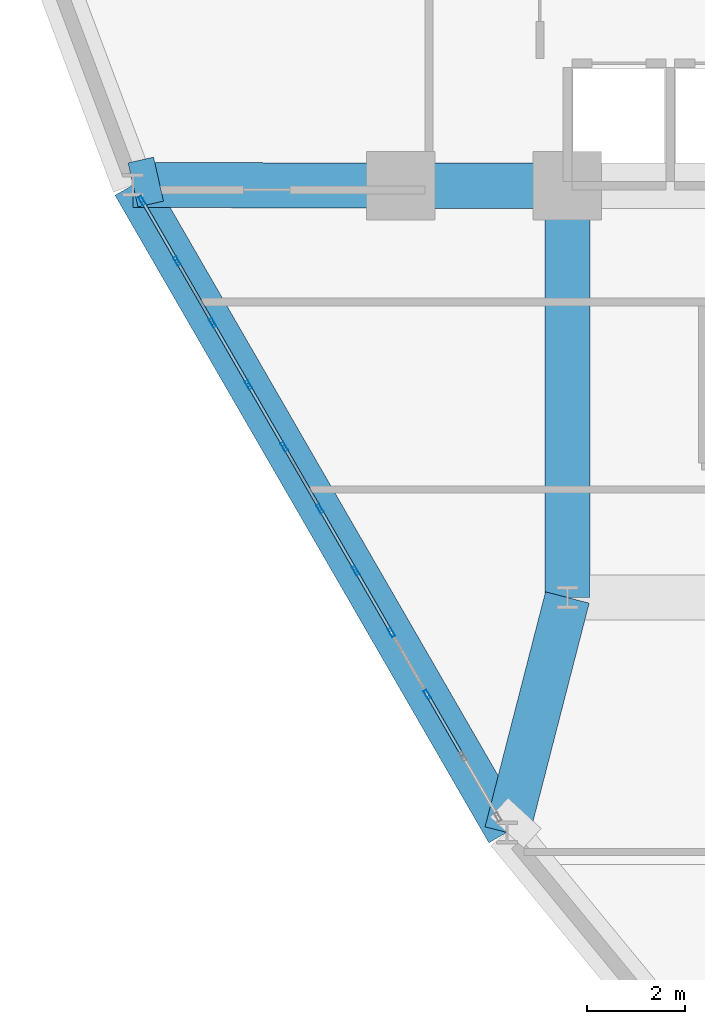
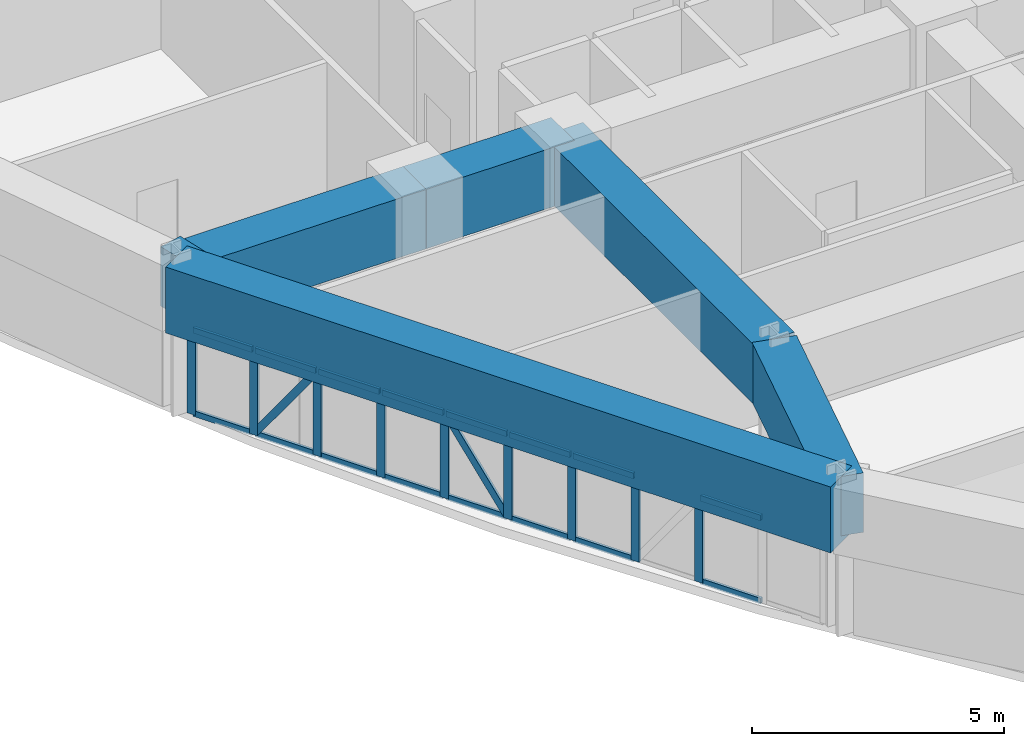
# One storey, part 4 of 18: 27 members, 6 beams, 1 element without a shape of its own.
"""IFC4 building model written with IfcOpenShell, lengths in metres."""

import ifcopenshell
import ifcopenshell.guid

model = None  # the IFC model being written
_history = None  # IfcOwnerHistory: only IFC2X3 demands one
_inside = {}  # id of a spatial element -> (the spatial element, [elements in it])
_under = {}  # id of a project, library or spatial element -> (it, [spatial elements below it])
_declared = {}  # id of a project -> (the project, [libraries it declares])
_typed = {}  # id of a type object -> (the type object, [elements of that type])
_made_of = {}  # id of a material, layer set ... -> (it, [elements and type objects made of it])


def new_model(schema):
    """Start an empty IFC model of exactly this schema.

    Asked for "IFC4X3", IfcOpenShell would pick the latest addendum, in which some entities
    have other attributes; the version numbers below select the first issue.
    IFC2X3 requires an IfcOwnerHistory on every rooted entity: one is made here for all.
    """
    global model, _history
    if schema == "IFC4X3":
        model = ifcopenshell.file(schema_version=(4, 3, 0, 0))
    else:
        model = ifcopenshell.file(schema=schema)
    _inside.clear()
    _under.clear()
    _declared.clear()
    _typed.clear()
    _made_of.clear()
    _history = None
    if model.schema == "IFC2X3":
        org = make("IfcOrganization", Name="unknown")
        user = make(
            "IfcPersonAndOrganization",
            ThePerson=make("IfcPerson", FamilyName="unknown"),
            TheOrganization=org,
        )
        app = make(
            "IfcApplication",
            ApplicationDeveloper=org,
            Version="unknown",
            ApplicationFullName="unknown",
            ApplicationIdentifier="unknown",
        )
        _history = make(
            "IfcOwnerHistory",
            OwningUser=user,
            OwningApplication=app,
            ChangeAction="ADDED",
            CreationDate=0,
        )
    return model


def make(cls, **values):
    """One entity of the class cls with the attributes given. An attribute that is None is left unset."""
    return model.create_entity(
        cls, **{name: value for name, value in values.items() if value is not None}
    )


def rooted(cls, **values):
    """An entity with a GlobalId (a new one), such as an element, a storey or a relation."""
    return make(cls, GlobalId=ifcopenshell.guid.new(), OwnerHistory=_history, **values)


def si_unit(unit_type, name, prefix=None):
    """IfcSIUnit, for example si_unit("LENGTHUNIT", "METRE", prefix="MILLI")."""
    return make("IfcSIUnit", UnitType=unit_type, Prefix=prefix, Name=name)


def derived_unit(unit_type, elements):
    """IfcDerivedUnit: a product of units, each with its exponent."""
    return make(
        "IfcDerivedUnit",
        Elements=[
            make("IfcDerivedUnitElement", Unit=unit, Exponent=power)
            for unit, power in elements
        ],
        UnitType=unit_type,
    )


def assignment(units):
    """IfcUnitAssignment: the units of a project."""
    return None if units is None else make("IfcUnitAssignment", Units=units)


def point(xyz):
    """IfcCartesianPoint."""
    return None if xyz is None else make("IfcCartesianPoint", Coordinates=xyz)


def direction(xyz):
    """IfcDirection."""
    return None if xyz is None else make("IfcDirection", DirectionRatios=xyz)


def frame(location, z_axis=None, x_axis=None):
    """IfcAxis2Placement3D, a coordinate frame: its origin and axes. An axis left out is left unset."""
    return make(
        "IfcAxis2Placement3D",
        Location=point(location),
        Axis=direction(z_axis),
        RefDirection=direction(x_axis),
    )


def frame_2d(location, x_axis=None):
    """IfcAxis2Placement2D, a coordinate frame in the plane: its origin and x axis."""
    return make(
        "IfcAxis2Placement2D", Location=point(location), RefDirection=direction(x_axis)
    )


def origin():
    """The frame at (0, 0, 0) with its axes left unset."""
    return frame((0.0, 0.0, 0.0))


def origin_2d():
    """The frame at (0, 0) in the plane with its x axis left unset."""
    return frame_2d((0.0, 0.0))


def place(relative_to, where):
    """IfcLocalPlacement: puts the frame where relative to a parent placement (None: the world)."""
    return make(
        "IfcLocalPlacement", PlacementRelTo=relative_to, RelativePlacement=where
    )


def context(
    kind, dimensions, precision=None, world=None, true_north=None, identifier=None
):
    """IfcGeometricRepresentationContext, for example the 3D "Model" context."""
    return make(
        "IfcGeometricRepresentationContext",
        ContextIdentifier=identifier,
        ContextType=kind,
        CoordinateSpaceDimension=dimensions,
        Precision=precision,
        WorldCoordinateSystem=world,
        TrueNorth=true_north,
    )


def subcontext(parent, identifier, kind, view, scale=None):
    """IfcGeometricRepresentationSubContext, for example "Body" below "Model"."""
    return make(
        "IfcGeometricRepresentationSubContext",
        ContextIdentifier=identifier,
        ContextType=kind,
        ParentContext=parent,
        TargetScale=scale,
        TargetView=view,
    )


def project(units=None, contexts=None):
    """IfcProject with its units and contexts."""
    return rooted(
        "IfcProject",
        Name="project",
        RepresentationContexts=contexts,
        UnitsInContext=assignment(units),
    )


def spatial(cls, under=None, at=None, **own):
    """A site, building, storey or space (cls), placed at a placement, below another one or the project."""
    s = rooted(cls, ObjectPlacement=at, **own)
    if under is not None:
        _under.setdefault(under.id(), (under, []))[1].append(s)
    return s


def profile(cls, at=None, kind="AREA", **sizes):
    """A parametric profile (cls). Its sizes go by their IFC names, for example OverallWidth=200.0."""
    return make(cls, ProfileType=kind, Position=at, **sizes)


def rectangle(**sizes):
    """IfcRectangleProfileDef."""
    return profile("IfcRectangleProfileDef", **sizes)


def hollow_rectangle(**sizes):
    """IfcRectangleHollowProfileDef."""
    return profile("IfcRectangleHollowProfileDef", **sizes)


def extrude(swept, where, along, depth):
    """IfcExtrudedAreaSolid: the profile swept, set in the frame where, extruded along a direction by depth."""
    return make(
        "IfcExtrudedAreaSolid",
        SweptArea=swept,
        Position=where,
        ExtrudedDirection=direction(along),
        Depth=depth,
    )


def shape(context_of_items, identifier, shape_type, items):
    """IfcShapeRepresentation: the items that make up one representation, for example the "Body"."""
    return make(
        "IfcShapeRepresentation",
        ContextOfItems=context_of_items,
        RepresentationIdentifier=identifier,
        RepresentationType=shape_type,
        Items=items,
    )


def source(mapping_origin, context_of_items, identifier, shape_type, items):
    """IfcRepresentationMap: a shape defined once, which mapped items show again and again."""
    return make(
        "IfcRepresentationMap",
        MappingOrigin=mapping_origin,
        MappedRepresentation=shape(context_of_items, identifier, shape_type, items),
    )


def transform(
    local_origin,
    x_axis=None,
    y_axis=None,
    z_axis=None,
    scale=None,
    scale2=None,
    scale3=None,
    uniform=True,
):
    """IfcCartesianTransformationOperator3D, or its non-uniform kind. x_axis, y_axis, z_axis: its Axis1, 2, 3."""
    if uniform:
        return make(
            "IfcCartesianTransformationOperator3D",
            Axis1=direction(x_axis),
            Axis2=direction(y_axis),
            LocalOrigin=point(local_origin),
            Scale=scale,
            Axis3=direction(z_axis),
        )
    return make(
        "IfcCartesianTransformationOperator3DnonUniform",
        Axis1=direction(x_axis),
        Axis2=direction(y_axis),
        LocalOrigin=point(local_origin),
        Scale=scale,
        Axis3=direction(z_axis),
        Scale2=scale2,
        Scale3=scale3,
    )


def mapped(mapping_source, mapping_target):
    """IfcMappedItem: shows the shape of a source again, moved by a transform."""
    return make(
        "IfcMappedItem", MappingSource=mapping_source, MappingTarget=mapping_target
    )


def material(Name=None, Category=None):
    """IfcMaterial."""
    return make("IfcMaterial", Name=Name, Category=Category)


def layer(
    of_material, thickness, ventilated=None, Name=None, Category=None, Priority=None
):
    """IfcMaterialLayer: one layer of a wall or slab, of a material (None: an air gap)."""
    return make(
        "IfcMaterialLayer",
        Material=of_material,
        LayerThickness=thickness,
        IsVentilated=ventilated,
        Name=Name,
        Category=Category,
        Priority=Priority,
    )


def layer_set(layers, Name=None):
    """IfcMaterialLayerSet."""
    return make("IfcMaterialLayerSet", MaterialLayers=layers, LayerSetName=Name)


def material_profile(
    of_material, cross_section, Name=None, Category=None, Priority=None
):
    """IfcMaterialProfile: a cross section and its material."""
    return make(
        "IfcMaterialProfile",
        Name=Name,
        Material=of_material,
        Profile=cross_section,
        Priority=Priority,
        Category=Category,
    )


def profile_set(profiles, Name=None, composite=None):
    """IfcMaterialProfileSet."""
    return make(
        "IfcMaterialProfileSet",
        Name=Name,
        MaterialProfiles=profiles,
        CompositeProfile=composite,
    )


def made_of(thing, what):
    """Note that an element or type object is made of a material, layer set ...; save() writes the relation."""
    if what is not None:
        _made_of.setdefault(what.id(), (what, []))[1].append(thing)
    return thing


def type_object(cls, material=None, **own):
    """A type object (cls), such as IfcWallType, which elements share."""
    return made_of(rooted(cls, **own), material)


def element(
    cls,
    number,
    at=None,
    inside=None,
    cuts=None,
    type_object=None,
    material=None,
    context=None,
    identifier="Body",
    shape_type=None,
    held_by="IfcProductDefinitionShape",
    body=None,
    shapes=None,
    **own,
):
    """One element of the class cls, such as IfcWall. Its Tag is "e" and its number.

    at: its placement. inside: the storey or other place that contains it. cuts: it is an
    opening in that element (IfcRelVoidsElement). A single representation is given by context,
    identifier, shape_type and body (its items); several are given by shapes. held_by: the class
    of the entity that holds the representations. save() writes the other relations.
    """
    e = rooted(cls, Tag="e%d" % number, ObjectPlacement=at, **own)
    if body is not None:
        shapes = [shape(context, identifier, shape_type, body)]
    if shapes is not None:
        e.Representation = make(held_by, Representations=shapes)
    if inside is not None:
        _inside.setdefault(inside.id(), (inside, []))[1].append(e)
    if cuts is not None:
        rooted(
            "IfcRelVoidsElement", RelatingBuildingElement=cuts, RelatedOpeningElement=e
        )
    if type_object is not None:
        _typed.setdefault(type_object.id(), (type_object, []))[1].append(e)
    return made_of(e, material)


def aggregate(whole, parts):
    """IfcRelAggregates: a whole, such as a stair, and the parts it consists of."""
    return rooted("IfcRelAggregates", RelatingObject=whole, RelatedObjects=parts)


def save(model, path):
    """Write the relations noted so far, then the file.

    IfcRelAggregates (storeys below a building ...), IfcRelContainedInSpatialStructure (elements
    in a storey), IfcRelDefinesByType, IfcRelAssociatesMaterial and IfcRelDeclares: one each for
    every whole, place, type object, material and project.
    """
    for whole, parts in _under.values():
        aggregate(whole, parts)
    for where, things in _inside.values():
        rooted(
            "IfcRelContainedInSpatialStructure",
            RelatedElements=things,
            RelatingStructure=where,
        )
    for kind, things in _typed.values():
        rooted("IfcRelDefinesByType", RelatedObjects=things, RelatingType=kind)
    for what, things in _made_of.values():
        rooted("IfcRelAssociatesMaterial", RelatedObjects=things, RelatingMaterial=what)
    for by, libraries in _declared.values():
        rooted("IfcRelDeclares", RelatingContext=by, RelatedDefinitions=libraries)
    model.write(path)


model = new_model("IFC4")

# Units and contexts
model_context = context("Model", 3, precision=1e-05, world=origin(), true_north=direction((0.0, 1.0)))
body_context = subcontext(model_context, "Body", "Model", "MODEL_VIEW")
ifc_project = project(units=[si_unit("LENGTHUNIT", "METRE"), si_unit("AREAUNIT", "SQUARE_METRE"), si_unit("VOLUMEUNIT", "CUBIC_METRE"), si_unit("PLANEANGLEUNIT", "RADIAN"), si_unit("MASSUNIT", "GRAM", prefix="KILO"), derived_unit("THERMALTRANSMITTANCEUNIT", [(si_unit("POWERUNIT", "WATT"), 1), (si_unit("LENGTHUNIT", "METRE"), -2), (si_unit("THERMODYNAMICTEMPERATUREUNIT", "KELVIN"), -1)])], contexts=[model_context])

# Site, building, storey
site_placement = place(None, origin())
site = spatial("IfcSite", under=ifc_project, at=site_placement, CompositionType="ELEMENT")
building_placement = place(site_placement, origin())
building = spatial("IfcBuilding", under=site, at=building_placement, Name="Korsvarv Bourse and Concert Hall", CompositionType="ELEMENT")
storey_placement = place(building_placement, frame((0.0, 0.0, 71.699951171875)))
storey = spatial("IfcBuildingStorey", under=building, at=storey_placement, Name="L17", CompositionType="ELEMENT", Elevation=71.699951171875)

# Beams
ifc_material_1 = material(Name="Concrete C50/60", Category="concrete")
ifc_material_profile_1 = material_profile(ifc_material_1, rectangle(XDim=0.919921875, YDim=1.43994140625, at=origin_2d()), Name="RC-BM 920x1440")
ifc_profile_set_1 = profile_set([ifc_material_profile_1], Name="Concrete C50/60")
beam_type_1 = type_object("IfcBeamType", Name="BM-TR-144", PredefinedType="BEAM", material=ifc_profile_set_1)
shared_shape_1 = source(origin(), body_context, "Body", "SweptSolid", [
    extrude(rectangle(XDim=0.919921875, YDim=1.43994140625, at=origin_2d()), origin(), (0.0, 0.0, 1.0), 3.400146484375),
])
beam_1_placement = place(storey_placement, frame((24.199951171875, 32.39990234375, 2.9599609375), z_axis=(1.0, 0.0, 0.0), x_axis=(0.0, 1.0, 0.0)))
element("IfcBeam", 1, at=beam_1_placement, inside=storey, type_object=beam_type_1, Name="L17 beam B-TR4", PredefinedType="BEAM", context=body_context, shape_type="MappedRepresentation", body=[
    mapped(shared_shape_1, transform((0.0, 0.0, 0.0), scale=1.0)),
])
shared_shape_2 = source(origin(), body_context, "Body", "SweptSolid", [
    extrude(rectangle(XDim=0.919921875, YDim=1.43994140625, at=origin_2d()), origin(), (0.0, 0.0, 1.0), 8.39990234375),
])
beam_2_placement = place(storey_placement, frame((27.60009765625, 24.0, 2.9599609375), z_axis=(0.0, 1.0, 0.0), x_axis=(-1.0, 0.0, 0.0)))
element("IfcBeam", 2, at=beam_2_placement, inside=storey, type_object=beam_type_1, Name="L17 beam B-TR4", PredefinedType="BEAM", context=body_context, shape_type="MappedRepresentation", body=[
    mapped(shared_shape_2, transform((0.0, 0.0, 0.0), scale=1.0)),
])
ifc_material_2 = material(Name="Concrete C55/67", Category="concrete")
ifc_material_profile_2 = material_profile(ifc_material_2, rectangle(XDim=0.85009765625, YDim=1.60009765625, at=origin_2d()), Name="RC-BM 850x1600")
ifc_profile_set_2 = profile_set([ifc_material_profile_2], Name="Concrete C55/67")
beam_type_2 = type_object("IfcBeamType", Name="BM-TR1B", PredefinedType="BEAM", material=ifc_profile_set_2)
shared_shape_3 = source(origin(), body_context, "Body", "SweptSolid", [
    extrude(rectangle(XDim=0.85009765625, YDim=1.60009765625, at=origin_2d()), origin(), (0.0, 0.0, 1.0), 15.25341796875),
])
beam_3_placement = place(storey_placement, frame((18.73974609375, 32.41650390625, 2.880126953125), z_axis=(0.500015713259, -0.86601633154, 0.0), x_axis=(0.86601633154, 0.500015713259, 0.0)))
element("IfcBeam", 3, at=beam_3_placement, inside=storey, type_object=beam_type_2, Name="L17 beam B-TR2", PredefinedType="BEAM", context=body_context, shape_type="MappedRepresentation", body=[
    mapped(shared_shape_3, transform((0.0, 0.0, 0.0), scale=1.0)),
])
shared_shape_4 = source(origin(), body_context, "Body", "SweptSolid", [
    extrude(rectangle(XDim=0.919921875, YDim=1.43994140625, at=origin_2d()), origin(), (0.0, 0.0, 1.0), 5.460205078125),
])
beam_4_placement = place(storey_placement, frame((18.73974609375, 32.41650390625, 2.9599609375), z_axis=(0.999995377818, -0.003040450959, 0.0), x_axis=(0.003040450959, 0.999995377818, 0.0)))
element("IfcBeam", 4, at=beam_4_placement, inside=storey, type_object=beam_type_1, Name="L17 beam B-TR4", PredefinedType="BEAM", context=body_context, shape_type="MappedRepresentation", body=[
    mapped(shared_shape_4, transform((0.0, 0.0, 0.0), scale=1.0)),
])
shared_shape_5 = source(origin(), body_context, "Body", "SweptSolid", [
    extrude(rectangle(XDim=0.919921875, YDim=1.43994140625, at=origin_2d()), origin(), (0.0, 0.0, 1.0), 4.949462890625),
])
beam_5_placement = place(storey_placement, frame((26.36669921875, 19.206787109375, 2.9599609375), z_axis=(0.249203636477, 0.968451107473, 0.0), x_axis=(-0.968451107473, 0.249203636477, 0.0)))
element("IfcBeam", 5, at=beam_5_placement, inside=storey, type_object=beam_type_1, Name="L17 beam B-TR4", PredefinedType="BEAM", context=body_context, shape_type="MappedRepresentation", body=[
    mapped(shared_shape_5, transform((0.0, 0.0, 0.0), scale=1.0)),
])
shared_shape_6 = source(origin(), body_context, "Body", "SweptSolid", [
    extrude(rectangle(XDim=0.919921875, YDim=1.43994140625, at=origin_2d()), origin(), (0.0, 0.0, 1.0), 0.533203125),
])
beam_6_placement = place(storey_placement, frame((18.73974609375, 32.41650390625, 2.9599609375), z_axis=(0.975339343041, 0.22071059312, 0.0), x_axis=(-0.22071059312, 0.975339343041, 0.0)))
element("IfcBeam", 6, at=beam_6_placement, inside=storey, type_object=beam_type_1, Name="L17 beam B-TR4", PredefinedType="BEAM", context=body_context, shape_type="MappedRepresentation", body=[
    mapped(shared_shape_6, transform((0.0, 0.0, 0.0), scale=1.0)),
])

# Curtain wall, members
ifc_material_3 = material(Name="Anodised aluminium and triple low-E glazing", Category="glass")
ifc_layer = layer(ifc_material_3, 0.219970703125)
ifc_layer_set = layer_set([ifc_layer], Name="Anodised aluminium and triple low-E glazing")
curtain_wall_type = type_object("IfcCurtainWallType", Name="CW-SYS-1", PredefinedType="NOTDEFINED", material=ifc_layer_set)
curtain_wall_placement = place(storey_placement, origin())
curtain_wall = element("IfcCurtainWall", 7, at=curtain_wall_placement, inside=storey, type_object=curtain_wall_type, Name="L17 CW1 curtain wall CW-L17-F07", PredefinedType="NOTDEFINED")
ifc_material_4 = material(Name="Extruded aluminium EN AW-6063 T66", Category="aluminium")
ifc_material_profile_3 = material_profile(ifc_material_4, hollow_rectangle(XDim=0.070068359375, YDim=0.18994140625, WallThickness=0.0048828125, at=origin_2d()), Name="ALU-M 70x190")
ifc_profile_set_3 = profile_set([ifc_material_profile_3], Name="Extruded aluminium EN AW-6063 T66")
member_type_1 = type_object("IfcMemberType", Name="CWM-190", PredefinedType="MULLION", material=ifc_profile_set_3)
shared_shape_7 = source(origin(), body_context, "Body", "SweptSolid", [
    extrude(hollow_rectangle(XDim=0.070068359375, YDim=0.18994140625, WallThickness=0.0048828125, at=origin_2d()), origin(), (0.0, 0.0, 1.0), 2.080078125),
])
member_1_placement = place(storey_placement, frame((18.923095703125, 32.09912109375, 0.0), z_axis=(0.0, 0.0, 1.0), x_axis=(0.86602191759, 0.500006038217, 0.0)))
member_1 = element("IfcMember", 8, at=member_1_placement, type_object=member_type_1, Name="CW1 mullion 1", PredefinedType="MULLION", context=body_context, shape_type="MappedRepresentation", body=[
    mapped(shared_shape_7, transform((0.0, 0.0, 0.0), scale=1.0)),
])
member_2_placement = place(storey_placement, frame((19.635009765625, 30.865966796875, 0.0), z_axis=(0.0, 0.0, 1.0), x_axis=(0.86602191759, 0.500006038217, 0.0)))
member_2 = element("IfcMember", 9, at=member_2_placement, type_object=member_type_1, Name="CW1 mullion 2", PredefinedType="MULLION", context=body_context, shape_type="MappedRepresentation", body=[
    mapped(shared_shape_7, transform((0.0, 0.0, 0.0), scale=1.0)),
])
member_3_placement = place(storey_placement, frame((20.364501953125, 29.602294921875, 0.0), z_axis=(0.0, 0.0, 1.0), x_axis=(0.86602191759, 0.500006038217, 0.0)))
member_3 = element("IfcMember", 10, at=member_3_placement, type_object=member_type_1, Name="CW1 mullion 3", PredefinedType="MULLION", context=body_context, shape_type="MappedRepresentation", body=[
    mapped(shared_shape_7, transform((0.0, 0.0, 0.0), scale=1.0)),
])
member_4_placement = place(storey_placement, frame((21.09423828125, 28.3388671875, 0.0), z_axis=(0.0, 0.0, 1.0), x_axis=(0.86602191759, 0.500006038217, 0.0)))
member_4 = element("IfcMember", 11, at=member_4_placement, type_object=member_type_1, Name="CW1 mullion 4", PredefinedType="MULLION", context=body_context, shape_type="MappedRepresentation", body=[
    mapped(shared_shape_7, transform((0.0, 0.0, 0.0), scale=1.0)),
])
member_5_placement = place(storey_placement, frame((21.82373046875, 27.0751953125, 0.0), z_axis=(0.0, 0.0, 1.0), x_axis=(0.86602191759, 0.500006038217, 0.0)))
member_5 = element("IfcMember", 12, at=member_5_placement, type_object=member_type_1, Name="CW1 mullion 5", PredefinedType="MULLION", context=body_context, shape_type="MappedRepresentation", body=[
    mapped(shared_shape_7, transform((0.0, 0.0, 0.0), scale=1.0)),
])
member_6_placement = place(storey_placement, frame((22.55322265625, 25.8115234375, 0.0), z_axis=(0.0, 0.0, 1.0), x_axis=(0.86602191759, 0.500006038217, 0.0)))
member_6 = element("IfcMember", 13, at=member_6_placement, type_object=member_type_1, Name="CW1 mullion 6", PredefinedType="MULLION", context=body_context, shape_type="MappedRepresentation", body=[
    mapped(shared_shape_7, transform((0.0, 0.0, 0.0), scale=1.0)),
])
member_7_placement = place(storey_placement, frame((23.28271484375, 24.548095703125, 0.0), z_axis=(0.0, 0.0, 1.0), x_axis=(0.86602191759, 0.500006038217, 0.0)))
member_7 = element("IfcMember", 14, at=member_7_placement, type_object=member_type_1, Name="CW1 mullion 7", PredefinedType="MULLION", context=body_context, shape_type="MappedRepresentation", body=[
    mapped(shared_shape_7, transform((0.0, 0.0, 0.0), scale=1.0)),
])
member_8_placement = place(storey_placement, frame((24.01220703125, 23.284423828125, 0.0), z_axis=(0.0, 0.0, 1.0), x_axis=(0.86602191759, 0.500006038217, 0.0)))
member_8 = element("IfcMember", 15, at=member_8_placement, type_object=member_type_1, Name="CW1 mullion 8", PredefinedType="MULLION", context=body_context, shape_type="MappedRepresentation", body=[
    mapped(shared_shape_7, transform((0.0, 0.0, 0.0), scale=1.0)),
])
member_9_placement = place(storey_placement, frame((24.74169921875, 22.020751953125, 0.0), z_axis=(0.0, 0.0, 1.0), x_axis=(0.86602191759, 0.500006038217, 0.0)))
member_9 = element("IfcMember", 16, at=member_9_placement, type_object=member_type_1, Name="CW1 mullion 9", PredefinedType="MULLION", context=body_context, shape_type="MappedRepresentation", body=[
    mapped(shared_shape_7, transform((0.0, 0.0, 0.0), scale=1.0)),
])
ifc_material_profile_4 = material_profile(ifc_material_4, hollow_rectangle(XDim=0.06494140625, YDim=0.139892578125, WallThickness=0.00390625, at=origin_2d()), Name="ALU-T 65x140")
ifc_profile_set_4 = profile_set([ifc_material_profile_4], Name="Extruded aluminium EN AW-6063 T66")
member_type_2 = type_object("IfcMemberType", Name="CWT-140", PredefinedType="USERDEFINED", material=ifc_profile_set_4)
shared_shape_8 = source(origin(), body_context, "Body", "SweptSolid", [
    extrude(hollow_rectangle(XDim=0.06494140625, YDim=0.139892578125, WallThickness=0.00390625, at=origin_2d()), origin(), (0.0, 0.0, 1.0), 1.35400390625),
])
member_10_placement = place(storey_placement, frame((18.9404296875, 32.06884765625, 0.032470703125), z_axis=(0.499998195608, -0.866026445548, 0.0), x_axis=(0.866026445548, 0.499998195608, 0.0)))
member_10 = element("IfcMember", 17, at=member_10_placement, type_object=member_type_2, Name="CW1 transom 1.1", ObjectType="TRANSOM", PredefinedType="USERDEFINED", context=body_context, shape_type="MappedRepresentation", body=[
    mapped(shared_shape_8, transform((0.0, 0.0, 0.0), scale=1.0)),
])
member_11_placement = place(storey_placement, frame((18.9404296875, 32.06884765625, 2.047607421875), z_axis=(0.499998195608, -0.866026445548, 0.0), x_axis=(0.866026445548, 0.499998195608, 0.0)))
member_11 = element("IfcMember", 18, at=member_11_placement, type_object=member_type_2, Name="CW1 transom 1.2", ObjectType="TRANSOM", PredefinedType="USERDEFINED", context=body_context, shape_type="MappedRepresentation", body=[
    mapped(shared_shape_8, transform((0.0, 0.0, 0.0), scale=1.0)),
])
shared_shape_9 = source(origin(), body_context, "Body", "SweptSolid", [
    extrude(hollow_rectangle(XDim=0.06494140625, YDim=0.139892578125, WallThickness=0.00390625, at=origin_2d()), origin(), (0.0, 0.0, 1.0), 1.38916015625),
])
member_12_placement = place(storey_placement, frame((19.652587890625, 30.835693359375, 0.032470703125), z_axis=(0.499975994823, -0.866039262737, 0.0), x_axis=(0.866039262737, 0.499975994823, 0.0)))
member_12 = element("IfcMember", 19, at=member_12_placement, type_object=member_type_2, Name="CW1 transom 2.1", ObjectType="TRANSOM", PredefinedType="USERDEFINED", context=body_context, shape_type="MappedRepresentation", body=[
    mapped(shared_shape_9, transform((0.0, 0.0, 0.0), scale=1.0)),
])
member_13_placement = place(storey_placement, frame((19.652587890625, 30.835693359375, 2.047607421875), z_axis=(0.499975994823, -0.866039262737, 0.0), x_axis=(0.866039262737, 0.499975994823, 0.0)))
member_13 = element("IfcMember", 20, at=member_13_placement, type_object=member_type_2, Name="CW1 transom 2.2", ObjectType="TRANSOM", PredefinedType="USERDEFINED", context=body_context, shape_type="MappedRepresentation", body=[
    mapped(shared_shape_9, transform((0.0, 0.0, 0.0), scale=1.0)),
])
member_14_placement = place(storey_placement, frame((21.841064453125, 27.044921875, 0.032470703125), z_axis=(0.499975994823, -0.866039262737, 0.0), x_axis=(0.866039262737, 0.499975994823, 0.0)))
member_14 = element("IfcMember", 21, at=member_14_placement, type_object=member_type_2, Name="CW1 transom 5.1", ObjectType="TRANSOM", PredefinedType="USERDEFINED", context=body_context, shape_type="MappedRepresentation", body=[
    mapped(shared_shape_9, transform((0.0, 0.0, 0.0), scale=1.0)),
])
member_15_placement = place(storey_placement, frame((21.841064453125, 27.044921875, 2.047607421875), z_axis=(0.499975994823, -0.866039262737, 0.0), x_axis=(0.866039262737, 0.499975994823, 0.0)))
member_15 = element("IfcMember", 22, at=member_15_placement, type_object=member_type_2, Name="CW1 transom 5.2", ObjectType="TRANSOM", PredefinedType="USERDEFINED", context=body_context, shape_type="MappedRepresentation", body=[
    mapped(shared_shape_9, transform((0.0, 0.0, 0.0), scale=1.0)),
])
member_16_placement = place(storey_placement, frame((23.30029296875, 24.517822265625, 0.032470703125), z_axis=(0.499975994823, -0.866039262737, 0.0), x_axis=(0.866039262737, 0.499975994823, 0.0)))
member_16 = element("IfcMember", 23, at=member_16_placement, type_object=member_type_2, Name="CW1 transom 7.1", ObjectType="TRANSOM", PredefinedType="USERDEFINED", context=body_context, shape_type="MappedRepresentation", body=[
    mapped(shared_shape_9, transform((0.0, 0.0, 0.0), scale=1.0)),
])
member_17_placement = place(storey_placement, frame((23.30029296875, 24.517822265625, 2.047607421875), z_axis=(0.499975994823, -0.866039262737, 0.0), x_axis=(0.866039262737, 0.499975994823, 0.0)))
member_17 = element("IfcMember", 24, at=member_17_placement, type_object=member_type_2, Name="CW1 transom 7.2", ObjectType="TRANSOM", PredefinedType="USERDEFINED", context=body_context, shape_type="MappedRepresentation", body=[
    mapped(shared_shape_9, transform((0.0, 0.0, 0.0), scale=1.0)),
])
ifc_material_profile_5 = material_profile(ifc_material_4, hollow_rectangle(XDim=0.06494140625, YDim=0.1650390625, WallThickness=0.0048828125, at=origin_2d()), Name="ALU-M 65x165")
ifc_profile_set_5 = profile_set([ifc_material_profile_5], Name="Extruded aluminium EN AW-6063 T66")
member_type_3 = type_object("IfcMemberType", Name="CWM-165", PredefinedType="MULLION", material=ifc_profile_set_5)
shared_shape_10 = source(origin(), body_context, "Body", "SweptSolid", [
    extrude(hollow_rectangle(XDim=0.06494140625, YDim=0.1650390625, WallThickness=0.0048828125, at=origin_2d()), origin(), (0.0, 0.0, 1.0), 2.39453125),
])
member_18_placement = place(storey_placement, frame((19.652587890625, 30.835693359375, 0.06494140625), z_axis=(0.290083671823, -0.502471822406, 0.814477458884), x_axis=(0.866039262737, 0.499975994823, 0.0)))
member_18 = element("IfcMember", 25, at=member_18_placement, type_object=member_type_3, Name="CW1 diagonal mullion 2", PredefinedType="MULLION", context=body_context, shape_type="MappedRepresentation", body=[
    mapped(shared_shape_10, transform((0.0, 0.0, 0.0), scale=1.0)),
])
member_19_placement = place(storey_placement, frame((22.53564453125, 25.841796875, 0.06494140625), z_axis=(-0.290083671823, 0.502471822406, 0.814477458884), x_axis=(-0.866039262737, -0.499975994823, 0.0)))
member_19 = element("IfcMember", 26, at=member_19_placement, type_object=member_type_3, Name="CW1 diagonal mullion 5", PredefinedType="MULLION", context=body_context, shape_type="MappedRepresentation", body=[
    mapped(shared_shape_10, transform((0.0, 0.0, 0.0), scale=1.0)),
])
shared_shape_11 = source(origin(), body_context, "Body", "SweptSolid", [
    extrude(hollow_rectangle(XDim=0.06494140625, YDim=0.139892578125, WallThickness=0.00390625, at=origin_2d()), origin(), (0.0, 0.0, 1.0), 1.388916015625),
])
member_20_placement = place(storey_placement, frame((20.382080078125, 29.572021484375, 0.032470703125), z_axis=(0.500052099036, -0.865995322302, 0.0), x_axis=(0.865995322302, 0.500052099036, 0.0)))
member_20 = element("IfcMember", 27, at=member_20_placement, type_object=member_type_2, Name="CW1 transom 3.1", ObjectType="TRANSOM", PredefinedType="USERDEFINED", context=body_context, shape_type="MappedRepresentation", body=[
    mapped(shared_shape_11, transform((0.0, 0.0, 0.0), scale=1.0)),
])
member_21_placement = place(storey_placement, frame((20.382080078125, 29.572021484375, 2.047607421875), z_axis=(0.500052099036, -0.865995322302, 0.0), x_axis=(0.865995322302, 0.500052099036, 0.0)))
member_21 = element("IfcMember", 28, at=member_21_placement, type_object=member_type_2, Name="CW1 transom 3.2", ObjectType="TRANSOM", PredefinedType="USERDEFINED", context=body_context, shape_type="MappedRepresentation", body=[
    mapped(shared_shape_11, transform((0.0, 0.0, 0.0), scale=1.0)),
])
member_22_placement = place(storey_placement, frame((21.111572265625, 28.308349609375, 0.032470703125), z_axis=(0.500052099036, -0.865995322302, 0.0), x_axis=(0.865995322302, 0.500052099036, 0.0)))
member_22 = element("IfcMember", 29, at=member_22_placement, type_object=member_type_2, Name="CW1 transom 4.1", ObjectType="TRANSOM", PredefinedType="USERDEFINED", context=body_context, shape_type="MappedRepresentation", body=[
    mapped(shared_shape_11, transform((0.0, 0.0, 0.0), scale=1.0)),
])
member_23_placement = place(storey_placement, frame((21.111572265625, 28.308349609375, 2.047607421875), z_axis=(0.500052099036, -0.865995322302, 0.0), x_axis=(0.865995322302, 0.500052099036, 0.0)))
member_23 = element("IfcMember", 30, at=member_23_placement, type_object=member_type_2, Name="CW1 transom 4.2", ObjectType="TRANSOM", PredefinedType="USERDEFINED", context=body_context, shape_type="MappedRepresentation", body=[
    mapped(shared_shape_11, transform((0.0, 0.0, 0.0), scale=1.0)),
])
member_24_placement = place(storey_placement, frame((22.57080078125, 25.78125, 0.032470703125), z_axis=(0.499920266887, -0.866071432825, 0.0), x_axis=(0.866071432825, 0.499920266887, 0.0)))
member_24 = element("IfcMember", 31, at=member_24_placement, type_object=member_type_2, Name="CW1 transom 6.1", ObjectType="TRANSOM", PredefinedType="USERDEFINED", context=body_context, shape_type="MappedRepresentation", body=[
    mapped(shared_shape_11, transform((0.0, 0.0, 0.0), scale=1.0)),
])
member_25_placement = place(storey_placement, frame((22.57080078125, 25.78125, 2.047607421875), z_axis=(0.499920266887, -0.866071432825, 0.0), x_axis=(0.866071432825, 0.499920266887, 0.0)))
member_25 = element("IfcMember", 32, at=member_25_placement, type_object=member_type_2, Name="CW1 transom 6.2", ObjectType="TRANSOM", PredefinedType="USERDEFINED", context=body_context, shape_type="MappedRepresentation", body=[
    mapped(shared_shape_11, transform((0.0, 0.0, 0.0), scale=1.0)),
])
member_26_placement = place(storey_placement, frame((24.75927734375, 21.990478515625, 0.032470703125), z_axis=(0.500052099036, -0.865995322302, 0.0), x_axis=(0.865995322302, 0.500052099036, 0.0)))
member_26 = element("IfcMember", 33, at=member_26_placement, type_object=member_type_2, Name="CW1 transom 9.1", ObjectType="TRANSOM", PredefinedType="USERDEFINED", context=body_context, shape_type="MappedRepresentation", body=[
    mapped(shared_shape_11, transform((0.0, 0.0, 0.0), scale=1.0)),
])
member_27_placement = place(storey_placement, frame((24.75927734375, 21.990478515625, 2.047607421875), z_axis=(0.500052099036, -0.865995322302, 0.0), x_axis=(0.865995322302, 0.500052099036, 0.0)))
member_27 = element("IfcMember", 34, at=member_27_placement, type_object=member_type_2, Name="CW1 transom 9.2", ObjectType="TRANSOM", PredefinedType="USERDEFINED", context=body_context, shape_type="MappedRepresentation", body=[
    mapped(shared_shape_11, transform((0.0, 0.0, 0.0), scale=1.0)),
])
aggregate(curtain_wall, [member_1, member_2, member_3, member_4, member_5, member_6, member_7, member_8, member_9, member_10, member_11, member_12, member_13, member_18, member_20, member_21, member_22, member_23, member_14, member_15, member_19, member_24, member_25, member_16, member_17, member_26, member_27])

save(model, "model.ifc")
